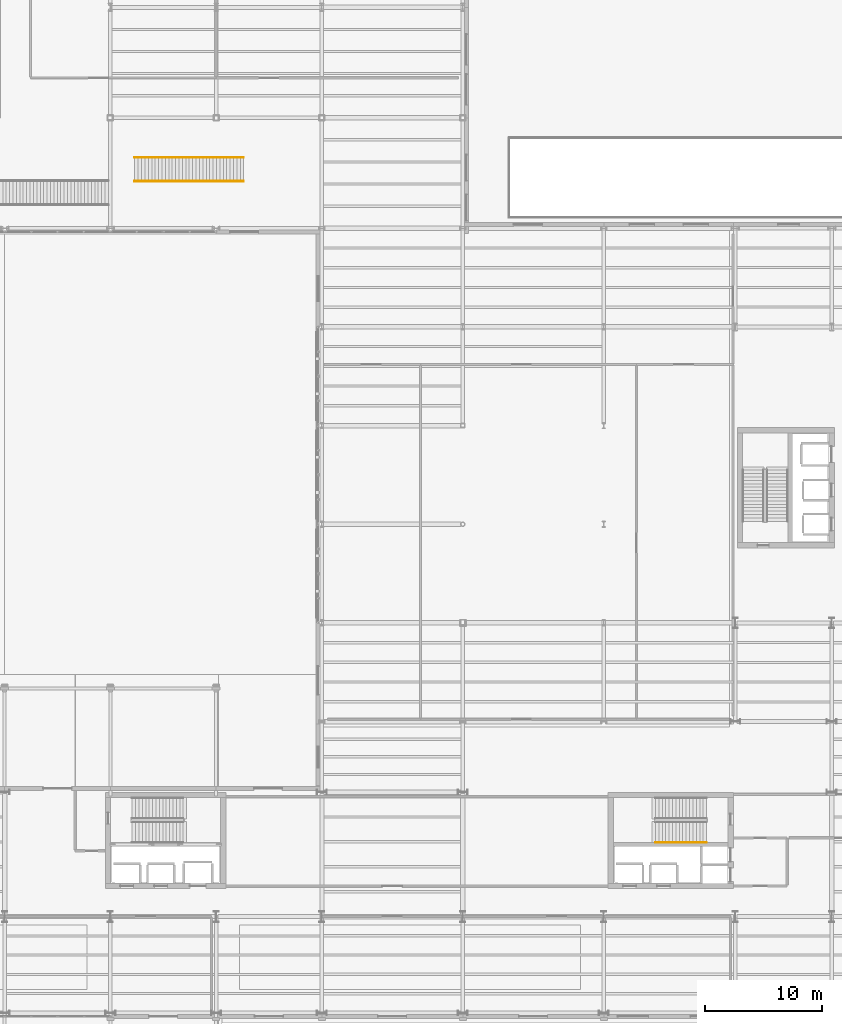
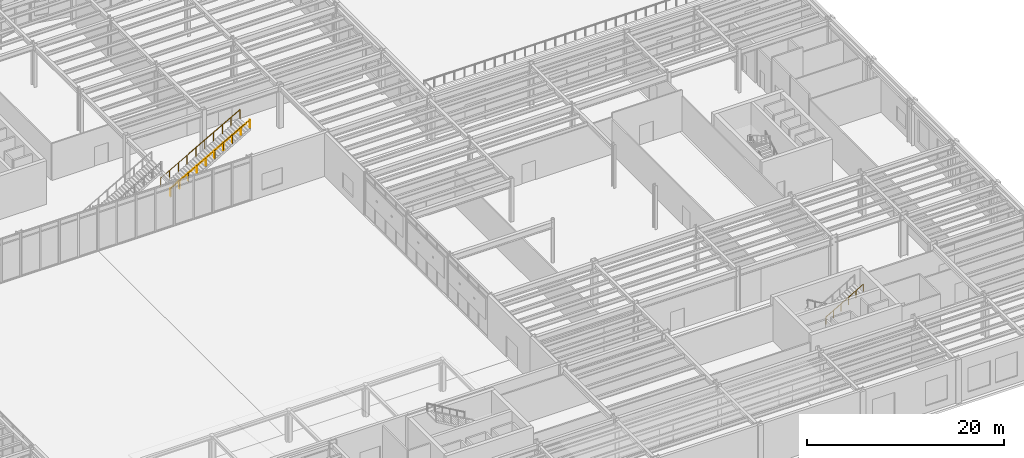
# One storey, part 92 of 94: 4 railings.
"""IFC4 building model written with IfcOpenShell, lengths in metres."""

from ifc_helpers import new_model, si_unit, direction, frame, origin, origin_2d, place, context, subcontext, project, spatial, circle, extrude, material, type_object, element, save


model = new_model("IFC4")

# Units and contexts
model_context = context("Model", 3, precision=1e-05, world=origin(), true_north=direction((0.0, 1.0)))
body_context = subcontext(model_context, "Body", "Model", "MODEL_VIEW")
ifc_project = project(units=[si_unit("LENGTHUNIT", "METRE"), si_unit("AREAUNIT", "SQUARE_METRE"), si_unit("VOLUMEUNIT", "CUBIC_METRE"), si_unit("PLANEANGLEUNIT", "RADIAN"), si_unit("MASSUNIT", "GRAM", prefix="KILO")], contexts=[model_context])

# Site, building, storey
site_placement = place(None, origin())
site = spatial("IfcSite", under=ifc_project, at=site_placement, CompositionType="ELEMENT")
building_placement = place(site_placement, origin())
building = spatial("IfcBuilding", under=site, at=building_placement, Name="Sollismere Congress Hotel", CompositionType="ELEMENT")
storey_placement = place(building_placement, origin())
storey = spatial("IfcBuildingStorey", under=building, at=storey_placement, Name="L00", CompositionType="ELEMENT", Elevation=0.0)

# Railings
ifc_material_1 = material(Name="Steel ASTM A500 Grade C", Category="steel")
railing_type_1 = type_object("IfcRailingType", Name="RL-GRD112", PredefinedType="GUARDRAIL", material=ifc_material_1)
for number, where, name in (
    (1, (96.070068359375, 70.77490234375, 0.169921875), "RLG-RG-ST-08-A"),
    (2, (96.070068359375, 72.824951171875, 0.169921875), "RLG-RG-ST-08-B"),
):
    element("IfcRailing", number, at=place(storey_placement, frame(where)), inside=storey, type_object=railing_type_1, Name=name, PredefinedType="GUARDRAIL", context=body_context, shape_type="SweptSolid", body=[
        extrude(circle(Radius=0.02392578125, at=origin_2d()), frame((0.0, 0.0, 1.09619140625), z_axis=(0.871175558498, 0.0, 0.490971634899), x_axis=(0.0, 1.0, 0.0)), (0.0, 0.0, 1.0), 10.65234375),
        extrude(circle(Radius=0.02099609375, at=origin_2d()), origin(), (0.0, 0.0, 1.0), 1.072021484375),
        extrude(circle(Radius=0.02099609375, at=origin_2d()), frame((1.031005859375, 0.0, 0.5810546875)), (0.0, 0.0, 1.0), 1.072021484375),
        extrude(circle(Radius=0.02099609375, at=origin_2d()), frame((2.062255859375, 0.0, 1.162109375)), (0.0, 0.0, 1.0), 1.072021484375),
        extrude(circle(Radius=0.02099609375, at=origin_2d()), frame((3.09326171875, 0.0, 1.743408203125)), (0.0, 0.0, 1.0), 1.072021484375),
        extrude(circle(Radius=0.02099609375, at=origin_2d()), frame((4.12451171875, 0.0, 2.324462890625)), (0.0, 0.0, 1.0), 1.072021484375),
        extrude(circle(Radius=0.02099609375, at=origin_2d()), frame((5.155517578125, 0.0, 2.905517578125)), (0.0, 0.0, 1.0), 1.072021484375),
        extrude(circle(Radius=0.02099609375, at=origin_2d()), frame((6.186767578125, 0.0, 3.486572265625)), (0.0, 0.0, 1.0), 1.072021484375),
        extrude(circle(Radius=0.02099609375, at=origin_2d()), frame((7.2177734375, 0.0, 4.06787109375)), (0.0, 0.0, 1.0), 1.072021484375),
        extrude(circle(Radius=0.02099609375, at=origin_2d()), frame((8.2490234375, 0.0, 4.64892578125)), (0.0, 0.0, 1.0), 1.072021484375),
        extrude(circle(Radius=0.02099609375, at=origin_2d()), frame((9.280029296875, 0.0, 5.22998046875)), (0.0, 0.0, 1.0), 1.072021484375),
    ])
ifc_material_2 = material(Name="Brushed Architectural Bronze")
railing_type_2 = type_object("IfcRailingType", Name="RL-HND90", PredefinedType="HANDRAIL", material=ifc_material_2)
railing_1_placement = place(storey_placement, frame((140.39990234375, 14.5, 3.013427734375)))
element("IfcRailing", 3, at=railing_1_placement, inside=storey, type_object=railing_type_2, Name="RLG-RH-ST-01-L00-2", PredefinedType="HANDRAIL", context=body_context, shape_type="SweptSolid", body=[
    extrude(circle(Radius=0.02392578125, at=origin_2d()), frame((0.0, 0.0, 0.8759765625), z_axis=(0.864323800911, 0.0, 0.50293574856), x_axis=(0.0, 1.0, 0.0)), (0.0, 0.0, 1.0), 5.032958984375),
    extrude(circle(Radius=0.02099609375, at=origin_2d()), origin(), (0.0, 0.0, 1.0), 0.851806640625),
    extrude(circle(Radius=0.02099609375, at=origin_2d()), frame((0.8701171875, 0.0, 0.50634765625)), (0.0, 0.0, 1.0), 0.851806640625),
    extrude(circle(Radius=0.02099609375, at=origin_2d()), frame((1.739990234375, 0.0, 1.012451171875)), (0.0, 0.0, 1.0), 0.851806640625),
    extrude(circle(Radius=0.02099609375, at=origin_2d()), frame((2.610107421875, 0.0, 1.518798828125)), (0.0, 0.0, 1.0), 0.851806640625),
    extrude(circle(Radius=0.02099609375, at=origin_2d()), frame((3.47998046875, 0.0, 2.02490234375)), (0.0, 0.0, 1.0), 0.851806640625),
    extrude(circle(Radius=0.02099609375, at=origin_2d()), frame((4.35009765625, 0.0, 2.53125)), (0.0, 0.0, 1.0), 0.851806640625),
])
railing_2_placement = place(storey_placement, frame((96.070068359375, 70.81494140625, 0.3134765625)))
element("IfcRailing", 4, at=railing_2_placement, inside=storey, type_object=railing_type_2, Name="RLG-RH-ST-08", PredefinedType="HANDRAIL", context=body_context, shape_type="SweptSolid", body=[
    extrude(circle(Radius=0.02392578125, at=origin_2d()), frame((0.0, 0.0, 0.8759765625), z_axis=(0.871116738291, 0.0, 0.491075990321), x_axis=(0.0, 1.0, 0.0)), (0.0, 0.0, 1.0), 10.653076171875),
    extrude(circle(Radius=0.02099609375, at=origin_2d()), origin(), (0.0, 0.0, 1.0), 0.851806640625),
    extrude(circle(Radius=0.02099609375, at=origin_2d()), frame((1.031005859375, 0.0, 0.581298828125)), (0.0, 0.0, 1.0), 0.851806640625),
    extrude(circle(Radius=0.02099609375, at=origin_2d()), frame((2.062255859375, 0.0, 1.16259765625)), (0.0, 0.0, 1.0), 0.851806640625),
    extrude(circle(Radius=0.02099609375, at=origin_2d()), frame((3.09326171875, 0.0, 1.743896484375)), (0.0, 0.0, 1.0), 0.851806640625),
    extrude(circle(Radius=0.02099609375, at=origin_2d()), frame((4.12451171875, 0.0, 2.3251953125)), (0.0, 0.0, 1.0), 0.851806640625),
    extrude(circle(Radius=0.02099609375, at=origin_2d()), frame((5.155517578125, 0.0, 2.90625)), (0.0, 0.0, 1.0), 0.851806640625),
    extrude(circle(Radius=0.02099609375, at=origin_2d()), frame((6.186767578125, 0.0, 3.487548828125)), (0.0, 0.0, 1.0), 0.851806640625),
    extrude(circle(Radius=0.02099609375, at=origin_2d()), frame((7.2177734375, 0.0, 4.06884765625)), (0.0, 0.0, 1.0), 0.851806640625),
    extrude(circle(Radius=0.02099609375, at=origin_2d()), frame((8.2490234375, 0.0, 4.650146484375)), (0.0, 0.0, 1.0), 0.851806640625),
    extrude(circle(Radius=0.02099609375, at=origin_2d()), frame((9.280029296875, 0.0, 5.2314453125)), (0.0, 0.0, 1.0), 0.851806640625),
])

save(model, "model.ifc")
